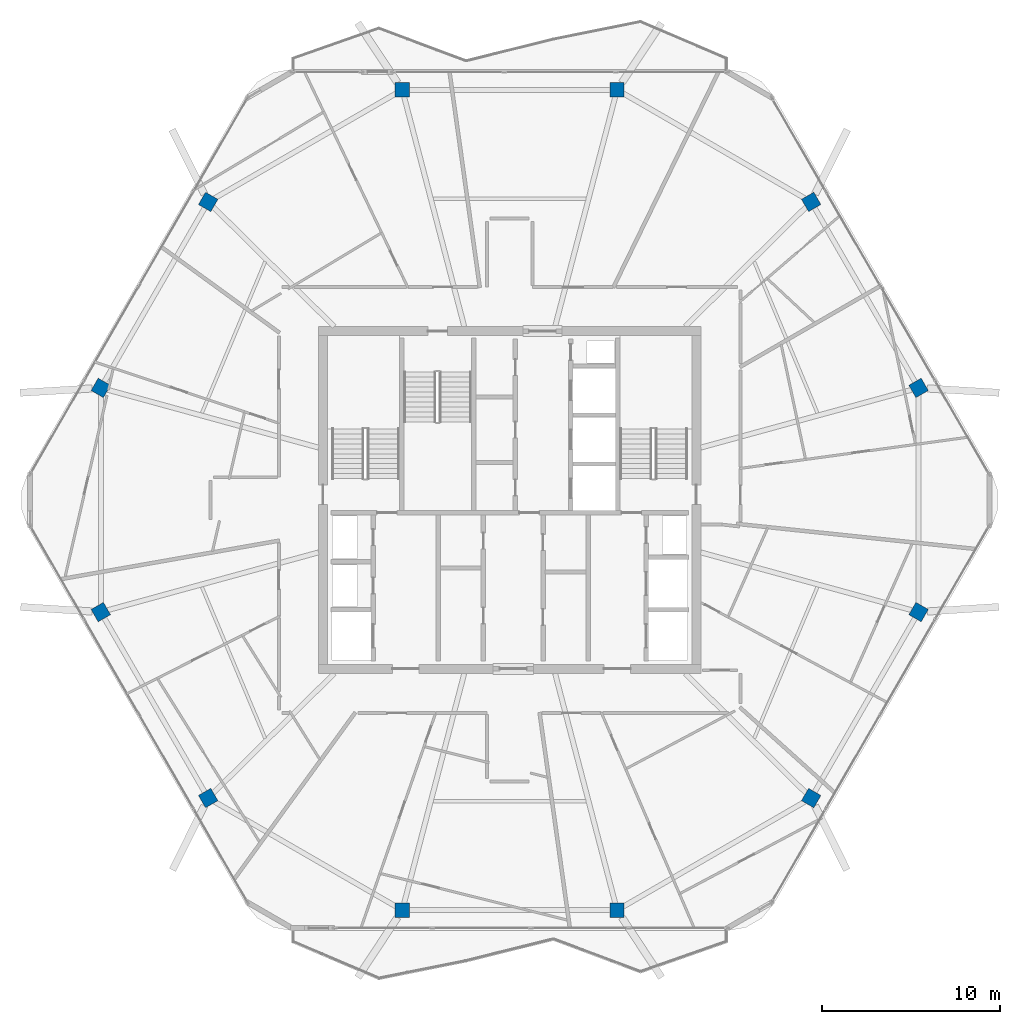
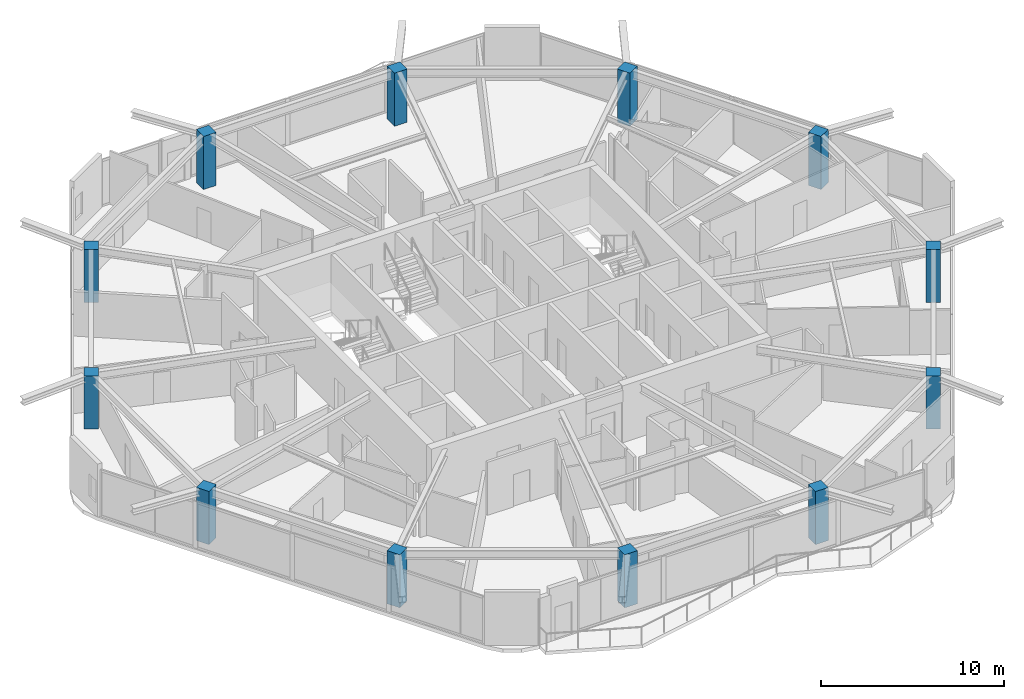
# One storey, part 1 of 20: 12 columns.
"""IFC4 building model written with IfcOpenShell, lengths in metres."""

from ifc_helpers import new_model, si_unit, direction, frame, origin, origin_2d, place, context, subcontext, project, spatial, rectangle, extrude, material, material_profile, profile_set, type_object, element, save


model = new_model("IFC4")

# Units and contexts
model_context = context("Model", 3, precision=1e-05, world=origin(), true_north=direction((0.0, 1.0)))
body_context = subcontext(model_context, "Body", "Model", "MODEL_VIEW")
ifc_project = project(units=[si_unit("LENGTHUNIT", "METRE"), si_unit("AREAUNIT", "SQUARE_METRE"), si_unit("VOLUMEUNIT", "CUBIC_METRE"), si_unit("PLANEANGLEUNIT", "RADIAN"), si_unit("MASSUNIT", "GRAM", prefix="KILO")], contexts=[model_context])

# Site, building, storey
site_placement = place(None, origin())
site = spatial("IfcSite", under=ifc_project, at=site_placement, CompositionType="ELEMENT")
building_placement = place(site_placement, origin())
building = spatial("IfcBuilding", under=site, at=building_placement, Name="Zuhravey Tower", CompositionType="ELEMENT")
storey_placement = place(building_placement, frame((0.0, 0.0, 312.0)))
storey = spatial("IfcBuildingStorey", under=building, at=storey_placement, Name="L79", CompositionType="ELEMENT", Elevation=312.0)

# Columns
ifc_material = material(Name="Concrete C50/60", Category="concrete")
ifc_material_profile = material_profile(ifc_material, rectangle(XDim=0.800048828125, YDim=0.800048828125, at=origin_2d()), Name="RC-800x800")
ifc_profile_set = profile_set([ifc_material_profile], Name="Concrete C50/60")
column_type = type_object("IfcColumnType", Name="Zone 4 Perimeter Column 800x800", PredefinedType="COLUMN", material=ifc_profile_set)
for number, where, z_axis, x_axis, name in (
    (1, (58.993408203125, 38.302490234375, 0.0), (0.0, 0.0, 1.0), (-0.5, 0.866025403784, 0.0), "L79 Perimeter Column PC01"),
    (2, (52.95458984375, 48.76171875, 0.0), (0.0, 0.0, 1.0), (-0.5, 0.866025403784, 0.0), "L79 Perimeter Column PC02"),
    (3, (42.038818359375, 55.064208984375, 0.0), (0.0, 0.0, 1.0), (-1.0, 0.0, 0.0), "L79 Perimeter Column PC03"),
    (4, (29.961181640625, 55.064208984375, 0.0), (0.0, 0.0, 1.0), (-1.0, 0.0, 0.0), "L79 Perimeter Column PC04"),
    (5, (19.04541015625, 48.76171875, 0.0), (0.0, 0.0, 1.0), (-0.5, -0.866025403784, 0.0), "L79 Perimeter Column PC05"),
    (6, (13.006591796875, 38.302490234375, 0.0), (0.0, 0.0, 1.0), (-0.5, -0.866025403784, 0.0), "L79 Perimeter Column PC06"),
    (7, (13.006591796875, 25.697509765625, 0.0), (0.0, 0.0, 1.0), (0.5, -0.866025403784, 0.0), "L79 Perimeter Column PC07"),
    (8, (19.04541015625, 15.23828125, 0.0), (0.0, 0.0, 1.0), (0.5, -0.866025403784, 0.0), "L79 Perimeter Column PC08"),
    (9, (29.961181640625, 8.935791015625, 0.0), (0.0, 0.0, 1.0), (1.0, 0.0, 0.0), "L79 Perimeter Column PC09"),
    (10, (42.038818359375, 8.935791015625, 0.0), (0.0, 0.0, 1.0), (1.0, 0.0, 0.0), "L79 Perimeter Column PC10"),
    (11, (52.95458984375, 15.23828125, 0.0), (0.0, 0.0, 1.0), (0.5, 0.866025403784, 0.0), "L79 Perimeter Column PC11"),
    (12, (58.993408203125, 25.697509765625, 0.0), (0.0, 0.0, 1.0), (0.5, 0.866025403784, 0.0), "L79 Perimeter Column PC12"),
):
    element("IfcColumn", number, at=place(storey_placement, frame(where, z_axis=z_axis, x_axis=x_axis)), inside=storey, type_object=column_type, Name=name, PredefinedType="COLUMN", context=body_context, shape_type="SweptSolid", body=[
        extrude(rectangle(XDim=0.800048828125, YDim=0.800048828125, at=origin_2d()), origin(), (0.0, 0.0, 1.0), 3.550048828125),
    ])

save(model, "model.ifc")
